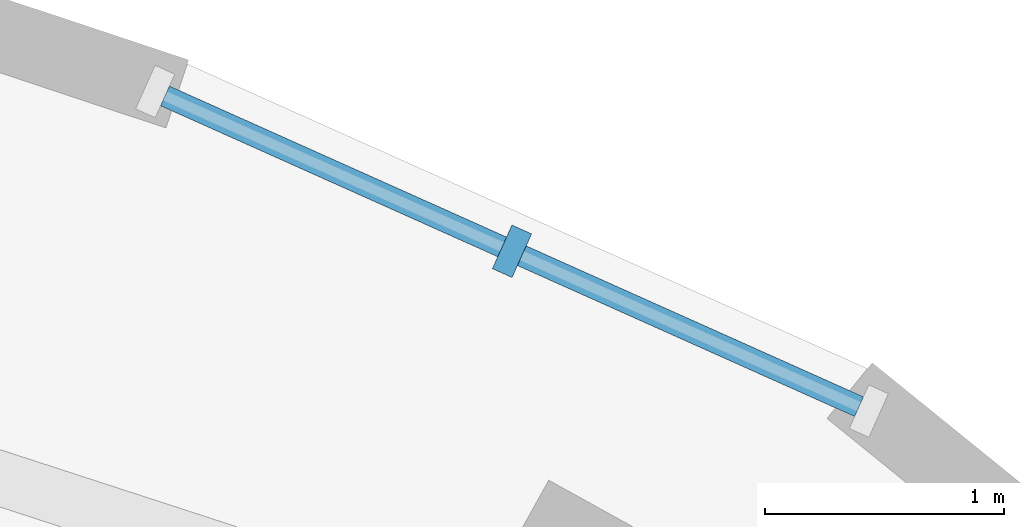
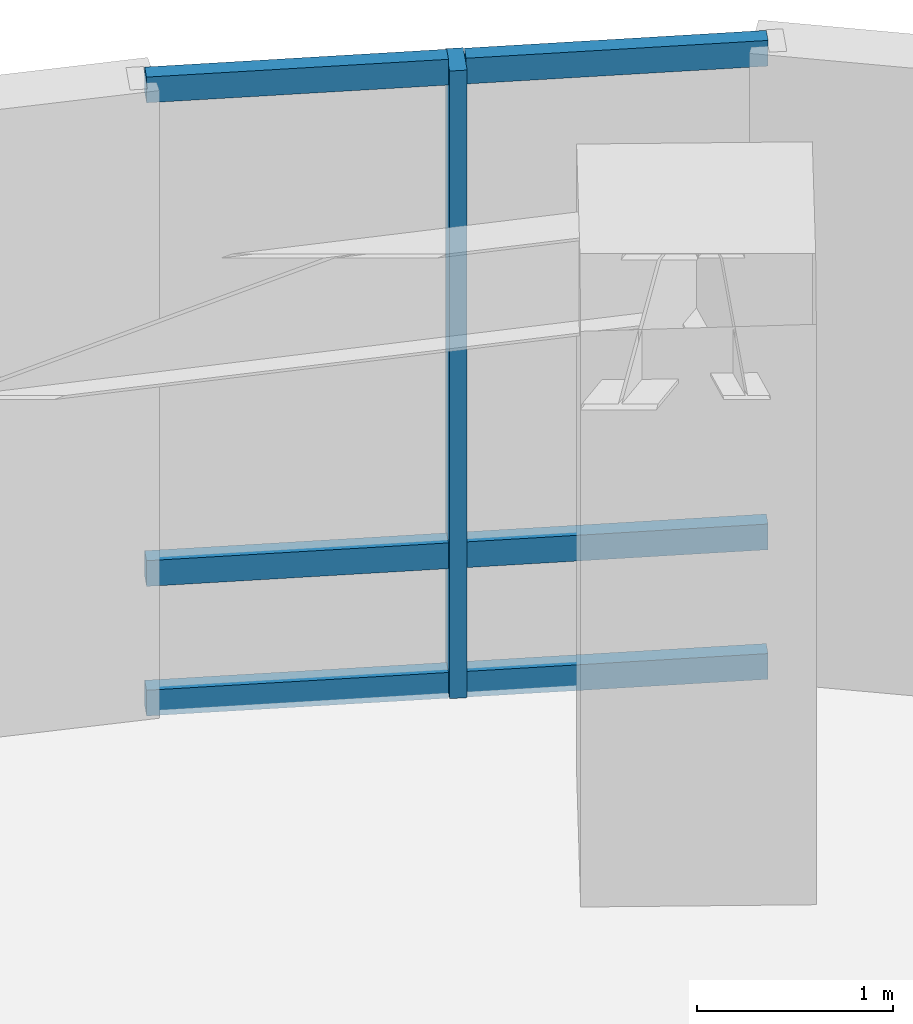
# One storey, part 6 of 15: 7 members, 1 element without a shape of its own.
"""IFC4 building model written with IfcOpenShell, lengths in metres."""

from ifc_helpers import new_model, si_unit, direction, frame, origin, origin_2d, place, context, subcontext, project, spatial, rectangle, extrude, material, layer, layer_set, material_profile, profile_set, type_object, element, aggregate, save


model = new_model("IFC4")

# Units and contexts
model_context = context("Model", 3, precision=1e-05, world=origin(), true_north=direction((0.0, 1.0)))
body_context = subcontext(model_context, "Body", "Model", "MODEL_VIEW")
ifc_project = project(units=[si_unit("LENGTHUNIT", "METRE"), si_unit("AREAUNIT", "SQUARE_METRE"), si_unit("VOLUMEUNIT", "CUBIC_METRE"), si_unit("PLANEANGLEUNIT", "RADIAN"), si_unit("MASSUNIT", "GRAM", prefix="KILO")], contexts=[model_context])

# Site, building, storey
site_placement = place(None, origin())
site = spatial("IfcSite", under=ifc_project, at=site_placement, CompositionType="ELEMENT")
building_placement = place(site_placement, origin())
building = spatial("IfcBuilding", under=site, at=building_placement, Name="Korentha Bioscience Tower", CompositionType="ELEMENT")
storey_placement = place(building_placement, frame((0.0, 0.0, 127.800048828125)))
storey = spatial("IfcBuildingStorey", under=building, at=storey_placement, Name="L29", CompositionType="ELEMENT", Elevation=127.800048828125)

# Curtain wall, members
ifc_material_1 = material(Name="Thermally Broken Aluminium Frame", Category="aluminium")
ifc_layer = layer(ifc_material_1, 0.219970703125, Name="Thermally Broken Aluminium Frame")
ifc_layer_set = layer_set([ifc_layer], Name="Thermally Broken Aluminium Frame (CW-T1)")
curtain_wall_type = type_object("IfcCurtainWallType", Name="Standard Bioscience Lab Unitised Curtain Wall CW-T1", PredefinedType="USERDEFINED", material=ifc_layer_set)
curtain_wall_placement = place(storey_placement, origin())
curtain_wall = element("IfcCurtainWall", 1, at=curtain_wall_placement, inside=storey, type_object=curtain_wall_type, Name="L29 Curtain Wall 01", ObjectType="UNITISED", PredefinedType="USERDEFINED")
ifc_material_2 = material(Name="Anodised Aluminium 6063-T6", Category="aluminium")
ifc_material_profile_1 = material_profile(ifc_material_2, rectangle(XDim=0.090087890625, YDim=0.199951171875, at=origin_2d()), Name="Anodised Aluminium 6063-T6")
ifc_profile_set_1 = profile_set([ifc_material_profile_1], Name="Anodised Aluminium 6063-T6 (CW-MUL)")
member_type_1 = type_object("IfcMemberType", Name="Mullion RECT 90x200", PredefinedType="MULLION", material=ifc_profile_set_1)
member_1_placement = place(storey_placement, frame((48.871337890625, 45.72021484375, 0.0), z_axis=(0.0, 0.0, 1.0), x_axis=(-0.912686563127, 0.408660295952, 0.0)))
member_1 = element("IfcMember", 2, at=member_1_placement, type_object=member_type_1, Name="CW-L29-01 Mullion 2", PredefinedType="MULLION", context=body_context, shape_type="SweptSolid", body=[
    extrude(rectangle(XDim=0.090087890625, YDim=0.199951171875, at=origin_2d()), origin(), (0.0, 0.0, 1.0), 3.89990234375),
])
ifc_material_profile_2 = material_profile(ifc_material_2, rectangle(XDim=0.090087890625, YDim=0.159912109375, at=origin_2d()), Name="Anodised Aluminium 6063-T6")
ifc_profile_set_2 = profile_set([ifc_material_profile_2], Name="Anodised Aluminium 6063-T6 (CW-TRN)")
member_type_2 = type_object("IfcMemberType", Name="Transom RECT 90x160", PredefinedType="USERDEFINED", material=ifc_profile_set_2)
member_2_placement = place(storey_placement, frame((50.322998046875, 45.0703125, 0.044921875), z_axis=(-0.912753156119, 0.408511537162, 0.0), x_axis=(-0.408511537162, -0.912753156119, 0.0)))
member_2 = element("IfcMember", 3, at=member_2_placement, type_object=member_type_2, Name="CW-L29-01 Bay 1 Transom 1", ObjectType="TRANSOM", PredefinedType="USERDEFINED", context=body_context, shape_type="SweptSolid", body=[
    extrude(rectangle(XDim=0.090087890625, YDim=0.159912109375, at=origin_2d()), origin(), (0.0, 0.0, 1.0), 1.54541015625),
])
member_3_placement = place(storey_placement, frame((50.322998046875, 45.0703125, 0.849853515625), z_axis=(-0.912753156119, 0.408511537162, 0.0), x_axis=(-0.408511537162, -0.912753156119, 0.0)))
member_3 = element("IfcMember", 4, at=member_3_placement, type_object=member_type_2, Name="CW-L29-01 Bay 1 Transom 2", ObjectType="TRANSOM", PredefinedType="USERDEFINED", context=body_context, shape_type="SweptSolid", body=[
    extrude(rectangle(XDim=0.090087890625, YDim=0.159912109375, at=origin_2d()), origin(), (0.0, 0.0, 1.0), 1.54541015625),
])
member_4_placement = place(storey_placement, frame((50.322998046875, 45.0703125, 3.85498046875), z_axis=(-0.912753156119, 0.408511537162, 0.0), x_axis=(-0.408511537162, -0.912753156119, 0.0)))
member_4 = element("IfcMember", 5, at=member_4_placement, type_object=member_type_2, Name="CW-L29-01 Bay 1 Transom 3", ObjectType="TRANSOM", PredefinedType="USERDEFINED", context=body_context, shape_type="SweptSolid", body=[
    extrude(rectangle(XDim=0.090087890625, YDim=0.159912109375, at=origin_2d()), origin(), (0.0, 0.0, 1.0), 1.54541015625),
])
member_5_placement = place(storey_placement, frame((48.830322265625, 45.738525390625, 0.044921875), z_axis=(-0.912667864607, 0.408702053962, 0.0), x_axis=(-0.408702053962, -0.912667864607, 0.0)))
member_5 = element("IfcMember", 6, at=member_5_placement, type_object=member_type_2, Name="CW-L29-01 Bay 2 Transom 1", ObjectType="TRANSOM", PredefinedType="USERDEFINED", context=body_context, shape_type="SweptSolid", body=[
    extrude(rectangle(XDim=0.090087890625, YDim=0.159912109375, at=origin_2d()), origin(), (0.0, 0.0, 1.0), 1.54541015625),
])
member_6_placement = place(storey_placement, frame((48.830322265625, 45.738525390625, 0.849853515625), z_axis=(-0.912667864607, 0.408702053962, 0.0), x_axis=(-0.408702053962, -0.912667864607, 0.0)))
member_6 = element("IfcMember", 7, at=member_6_placement, type_object=member_type_2, Name="CW-L29-01 Bay 2 Transom 2", ObjectType="TRANSOM", PredefinedType="USERDEFINED", context=body_context, shape_type="SweptSolid", body=[
    extrude(rectangle(XDim=0.090087890625, YDim=0.159912109375, at=origin_2d()), origin(), (0.0, 0.0, 1.0), 1.54541015625),
])
member_7_placement = place(storey_placement, frame((48.830322265625, 45.738525390625, 3.85498046875), z_axis=(-0.912667864607, 0.408702053962, 0.0), x_axis=(-0.408702053962, -0.912667864607, 0.0)))
member_7 = element("IfcMember", 8, at=member_7_placement, type_object=member_type_2, Name="CW-L29-01 Bay 2 Transom 3", ObjectType="TRANSOM", PredefinedType="USERDEFINED", context=body_context, shape_type="SweptSolid", body=[
    extrude(rectangle(XDim=0.090087890625, YDim=0.159912109375, at=origin_2d()), origin(), (0.0, 0.0, 1.0), 1.54541015625),
])
aggregate(curtain_wall, [member_1, member_2, member_3, member_4, member_5, member_6, member_7])

save(model, "model.ifc")
